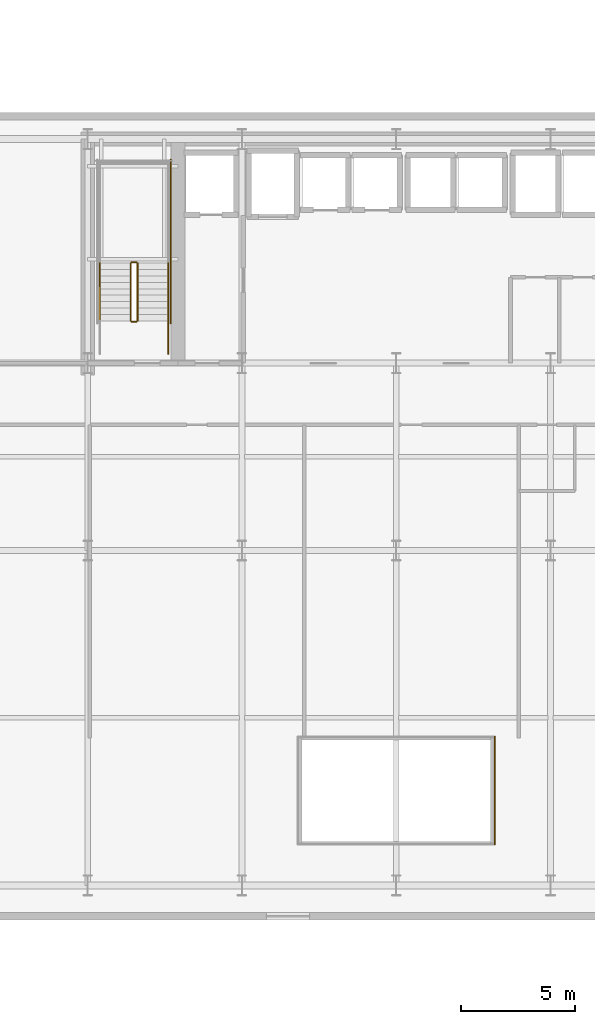
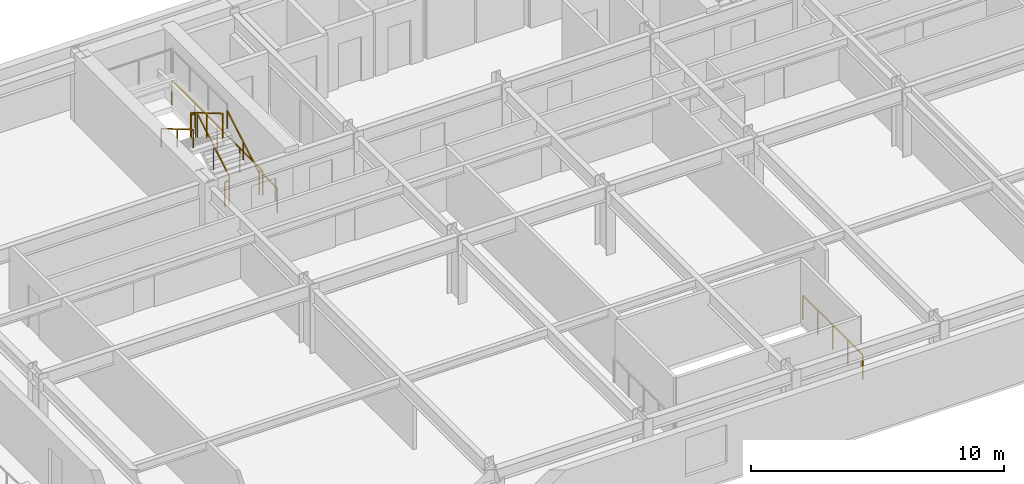
# One storey, part 11 of 16: 9 railings.
"""IFC4 building model written with IfcOpenShell, lengths in metres."""

from ifc_helpers import new_model, si_unit, direction, frame, origin, origin_2d, place, context, subcontext, project, spatial, rectangle, extrude, material, type_object, element, save


model = new_model("IFC4")

# Units and contexts
model_context = context("Model", 3, precision=1e-05, world=origin(), true_north=direction((0.0, 1.0)))
body_context = subcontext(model_context, "Body", "Model", "MODEL_VIEW")
ifc_project = project(units=[si_unit("LENGTHUNIT", "METRE"), si_unit("AREAUNIT", "SQUARE_METRE"), si_unit("VOLUMEUNIT", "CUBIC_METRE"), si_unit("PLANEANGLEUNIT", "RADIAN"), si_unit("MASSUNIT", "GRAM", prefix="KILO")], contexts=[model_context])

# Site, building, storey
site_placement = place(None, origin())
site = spatial("IfcSite", under=ifc_project, at=site_placement, CompositionType="ELEMENT")
building_placement = place(site_placement, origin())
building = spatial("IfcBuilding", under=site, at=building_placement, Name="Haevon Station Towers", CompositionType="ELEMENT")
storey_placement = place(building_placement, frame((0.0, 0.0, 43.800048828125)))
storey = spatial("IfcBuildingStorey", under=building, at=storey_placement, Name="L10", CompositionType="ELEMENT", Elevation=43.800048828125)

# Railings
ifc_material = material(Name="Steel S355", Category="steel")
railing_type_1 = type_object("IfcRailingType", Name="BAL-ATR1200", PredefinedType="BALUSTRADE", material=ifc_material)
railing_1_placement = place(storey_placement, frame((41.80517578125, 17.142333984375, 0.0)))
element("IfcRailing", 1, at=railing_1_placement, inside=storey, type_object=railing_type_1, Name="L10 Atrium Void Balustrade 2", PredefinedType="BALUSTRADE", context=body_context, shape_type="SweptSolid", body=[
    extrude(rectangle(XDim=0.048095703125, YDim=0.048095703125, at=origin_2d()), frame((0.0, 0.0, 1.17578125), z_axis=(0.0, 1.0, 0.0), x_axis=(-1.0, 0.0, 0.0)), (0.0, 0.0, 1.0), 4.71533203125),
    extrude(rectangle(XDim=0.0419921875, YDim=0.0419921875, at=origin_2d()), origin(), (0.0, 0.0, 1.0), 1.15185546875),
    extrude(rectangle(XDim=0.0419921875, YDim=0.0419921875, at=origin_2d()), frame((0.0, 1.1787109375, 0.0)), (0.0, 0.0, 1.0), 1.15185546875),
    extrude(rectangle(XDim=0.0419921875, YDim=0.0419921875, at=origin_2d()), frame((0.0, 2.357666015625, 0.0)), (0.0, 0.0, 1.0), 1.15185546875),
    extrude(rectangle(XDim=0.0419921875, YDim=0.0419921875, at=origin_2d()), frame((0.0, 3.53662109375, 0.0)), (0.0, 0.0, 1.0), 1.15185546875),
    extrude(rectangle(XDim=0.0419921875, YDim=0.0419921875, at=origin_2d()), frame((0.0, 4.71533203125, 0.0)), (0.0, 0.0, 1.0), 1.15185546875),
])
railing_type_2 = type_object("IfcRailingType", Name="GRD-STR1200", PredefinedType="GUARDRAIL", material=ifc_material)
railing_2_placement = place(storey_placement, frame((26.179931640625, 40.050048828125, 0.1650390625)))
element("IfcRailing", 2, at=railing_2_placement, inside=storey, type_object=railing_type_2, Name="L10 ST1 Stair Guard 1", PredefinedType="GUARDRAIL", context=body_context, shape_type="SweptSolid", body=[
    extrude(rectangle(XDim=0.048095703125, YDim=0.048095703125, at=origin_2d()), frame((0.0, 0.0, 1.17578125), z_axis=(0.0, 0.861560626758, 0.507654692109), x_axis=(-1.0, 0.0, 0.0)), (0.0, 0.0, 1.0), 2.925048828125),
    extrude(rectangle(XDim=0.0419921875, YDim=0.0419921875, at=origin_2d()), origin(), (0.0, 0.0, 1.0), 1.15185546875),
    extrude(rectangle(XDim=0.0419921875, YDim=0.0419921875, at=origin_2d()), frame((0.0, 1.260009765625, 0.742431640625)), (0.0, 0.0, 1.0), 1.15185546875),
    extrude(rectangle(XDim=0.0419921875, YDim=0.0419921875, at=origin_2d()), frame((0.0, 2.52001953125, 1.48486328125)), (0.0, 0.0, 1.0), 1.15185546875),
])
railing_3_placement = place(storey_placement, frame((26.1298828125, 42.6201171875, 1.64990234375)))
element("IfcRailing", 3, at=railing_3_placement, inside=storey, type_object=railing_type_2, Name="L10 ST1 Stair Guard 2", PredefinedType="GUARDRAIL", context=body_context, shape_type="SweptSolid", body=[
    extrude(rectangle(XDim=0.048095703125, YDim=0.048095703125, at=origin_2d()), frame((0.0, 0.0, 1.17578125), z_axis=(-1.0, 0.0, 0.0), x_axis=(0.0, -1.0, 0.0)), (0.0, 0.0, 1.0), 0.199951171875),
    extrude(rectangle(XDim=0.0419921875, YDim=0.0419921875, at=origin_2d()), origin(), (0.0, 0.0, 1.0), 1.15185546875),
    extrude(rectangle(XDim=0.0419921875, YDim=0.0419921875, at=origin_2d()), frame((-0.199951171875, 0.0, 0.0)), (0.0, 0.0, 1.0), 1.15185546875),
])
railing_4_placement = place(storey_placement, frame((25.8798828125, 42.570068359375, 1.81494140625)))
element("IfcRailing", 4, at=railing_4_placement, inside=storey, type_object=railing_type_2, Name="L10 ST1 Stair Guard 6", PredefinedType="GUARDRAIL", context=body_context, shape_type="SweptSolid", body=[
    extrude(rectangle(XDim=0.048095703125, YDim=0.048095703125, at=origin_2d()), frame((0.0, 0.0, 1.17578125), z_axis=(0.0, -0.86152411907, 0.507716645641), x_axis=(1.0, 0.0, 0.0)), (0.0, 0.0, 1.0), 2.925048828125),
    extrude(rectangle(XDim=0.0419921875, YDim=0.0419921875, at=origin_2d()), origin(), (0.0, 0.0, 1.0), 1.15185546875),
    extrude(rectangle(XDim=0.0419921875, YDim=0.0419921875, at=origin_2d()), frame((0.0, -1.260009765625, 0.74267578125)), (0.0, 0.0, 1.0), 1.15185546875),
    extrude(rectangle(XDim=0.0419921875, YDim=0.0419921875, at=origin_2d()), frame((0.0, -2.52001953125, 1.485107421875)), (0.0, 0.0, 1.0), 1.15185546875),
])
railing_5_placement = place(storey_placement, frame((26.1298828125, 40.0, 0.0)))
element("IfcRailing", 5, at=railing_5_placement, inside=storey, type_object=railing_type_2, Name="L10 ST1 Stair Guard 7", PredefinedType="GUARDRAIL", context=body_context, shape_type="SweptSolid", body=[
    extrude(rectangle(XDim=0.048095703125, YDim=0.048095703125, at=origin_2d()), frame((0.0, 0.0, 1.17578125), z_axis=(-1.0, 0.0, 0.0), x_axis=(0.0, -1.0, 0.0)), (0.0, 0.0, 1.0), 0.199951171875),
    extrude(rectangle(XDim=0.0419921875, YDim=0.0419921875, at=origin_2d()), origin(), (0.0, 0.0, 1.0), 1.15185546875),
    extrude(rectangle(XDim=0.0419921875, YDim=0.0419921875, at=origin_2d()), frame((-0.199951171875, 0.0, 0.0)), (0.0, 0.0, 1.0), 1.15185546875),
])
railing_6_placement = place(storey_placement, frame((27.530029296875, 38.60009765625, 0.0)))
element("IfcRailing", 6, at=railing_6_placement, inside=storey, type_object=railing_type_2, Name="L10 ST1 Stair Guard 8", PredefinedType="GUARDRAIL", context=body_context, shape_type="SweptSolid", body=[
    extrude(rectangle(XDim=0.048095703125, YDim=0.048095703125, at=origin_2d()), frame((0.0, 0.0, 1.17578125), z_axis=(0.0, 1.0, 0.0), x_axis=(-1.0, 0.0, 0.0)), (0.0, 0.0, 1.0), 1.449951171875),
    extrude(rectangle(XDim=0.0419921875, YDim=0.0419921875, at=origin_2d()), origin(), (0.0, 0.0, 1.0), 1.15185546875),
    extrude(rectangle(XDim=0.0419921875, YDim=0.0419921875, at=origin_2d()), frame((0.0, 1.449951171875, 0.0)), (0.0, 0.0, 1.0), 1.15185546875),
])
railing_7_placement = place(storey_placement, frame((27.6298828125, 39.949951171875, 0.0)))
element("IfcRailing", 7, at=railing_7_placement, inside=storey, type_object=railing_type_2, Name="L10 ST1 Stair Guard 10", PredefinedType="GUARDRAIL", context=body_context, shape_type="SweptSolid", body=[
    extrude(rectangle(XDim=0.048095703125, YDim=0.048095703125, at=origin_2d()), frame((0.0, 0.0, 1.17578125), z_axis=(0.0, 1.0, 0.0), x_axis=(-1.0, 0.0, 0.0)), (0.0, 0.0, 1.0), 7.150146484375),
    extrude(rectangle(XDim=0.0419921875, YDim=0.0419921875, at=origin_2d()), origin(), (0.0, 0.0, 1.0), 1.15185546875),
    extrude(rectangle(XDim=0.0419921875, YDim=0.0419921875, at=origin_2d()), frame((0.0, 1.78759765625, 0.0)), (0.0, 0.0, 1.0), 1.15185546875),
    extrude(rectangle(XDim=0.0419921875, YDim=0.0419921875, at=origin_2d()), frame((0.0, 3.5751953125, 0.0)), (0.0, 0.0, 1.0), 1.15185546875),
    extrude(rectangle(XDim=0.0419921875, YDim=0.0419921875, at=origin_2d()), frame((0.0, 5.362548828125, 0.0)), (0.0, 0.0, 1.0), 1.15185546875),
    extrude(rectangle(XDim=0.0419921875, YDim=0.0419921875, at=origin_2d()), frame((0.0, 7.150146484375, 0.0)), (0.0, 0.0, 1.0), 1.15185546875),
])
railing_type_3 = type_object("IfcRailingType", Name="HND-STR900", PredefinedType="HANDRAIL", material=ifc_material)
railing_8_placement = place(storey_placement, frame((27.530029296875, 40.050048828125, 0.1650390625)))
element("IfcRailing", 8, at=railing_8_placement, inside=storey, type_object=railing_type_3, Name="L10 ST1 Stair Handrail 1", PredefinedType="HANDRAIL", context=body_context, shape_type="SweptSolid", body=[
    extrude(rectangle(XDim=0.048095703125, YDim=0.048095703125, at=origin_2d()), frame((0.0, 0.0, 0.8759765625), z_axis=(0.0, 0.861560626758, 0.507654692109), x_axis=(-1.0, 0.0, 0.0)), (0.0, 0.0, 1.0), 2.925048828125),
    extrude(rectangle(XDim=0.0419921875, YDim=0.0419921875, at=origin_2d()), origin(), (0.0, 0.0, 1.0), 0.851806640625),
    extrude(rectangle(XDim=0.0419921875, YDim=0.0419921875, at=origin_2d()), frame((0.0, 1.260009765625, 0.742431640625)), (0.0, 0.0, 1.0), 0.851806640625),
    extrude(rectangle(XDim=0.0419921875, YDim=0.0419921875, at=origin_2d()), frame((0.0, 2.52001953125, 1.48486328125)), (0.0, 0.0, 1.0), 0.851806640625),
])
railing_9_placement = place(storey_placement, frame((24.530029296875, 42.570068359375, 1.81494140625)))
element("IfcRailing", 9, at=railing_9_placement, inside=storey, type_object=railing_type_3, Name="L10 ST1 Stair Handrail 2", PredefinedType="HANDRAIL", context=body_context, shape_type="SweptSolid", body=[
    extrude(rectangle(XDim=0.048095703125, YDim=0.048095703125, at=origin_2d()), frame((0.0, 0.0, 0.8759765625), z_axis=(0.0, -0.86152411907, 0.507716645641), x_axis=(1.0, 0.0, 0.0)), (0.0, 0.0, 1.0), 2.925048828125),
    extrude(rectangle(XDim=0.0419921875, YDim=0.0419921875, at=origin_2d()), origin(), (0.0, 0.0, 1.0), 0.851806640625),
    extrude(rectangle(XDim=0.0419921875, YDim=0.0419921875, at=origin_2d()), frame((0.0, -1.260009765625, 0.74267578125)), (0.0, 0.0, 1.0), 0.851806640625),
    extrude(rectangle(XDim=0.0419921875, YDim=0.0419921875, at=origin_2d()), frame((0.0, -2.52001953125, 1.485107421875)), (0.0, 0.0, 1.0), 0.851806640625),
])

save(model, "model.ifc")
